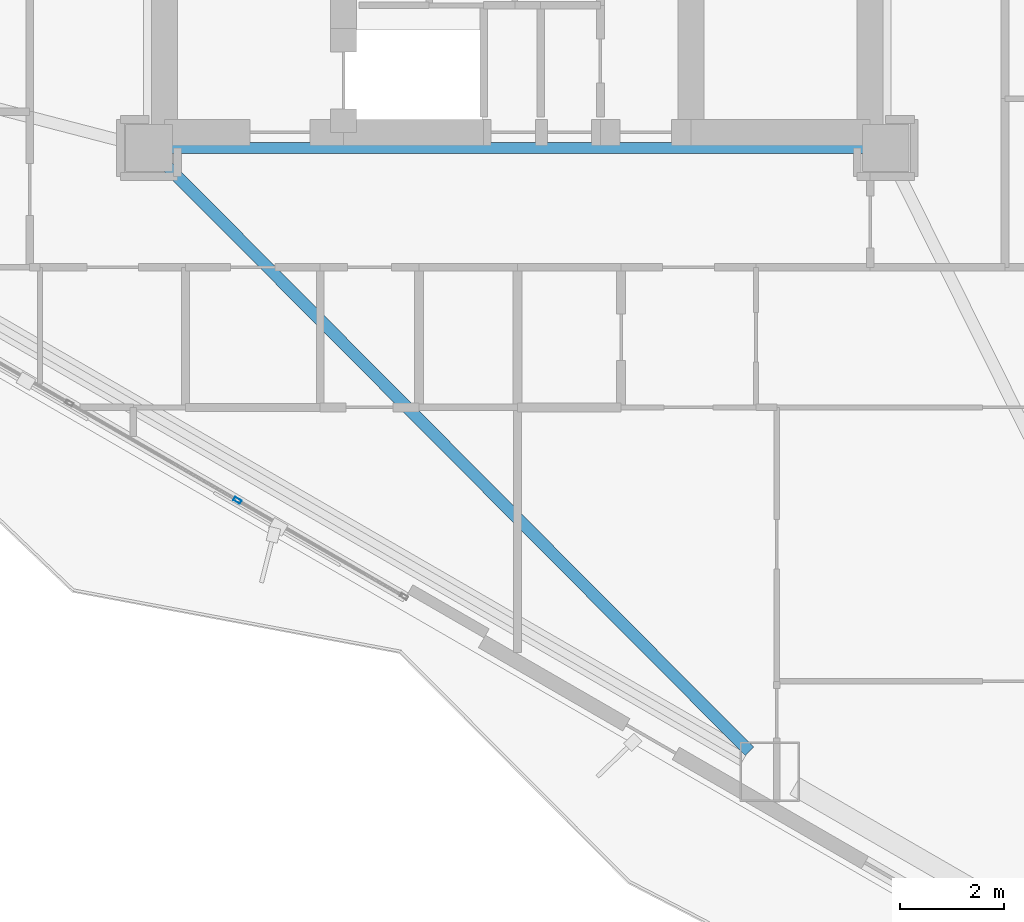
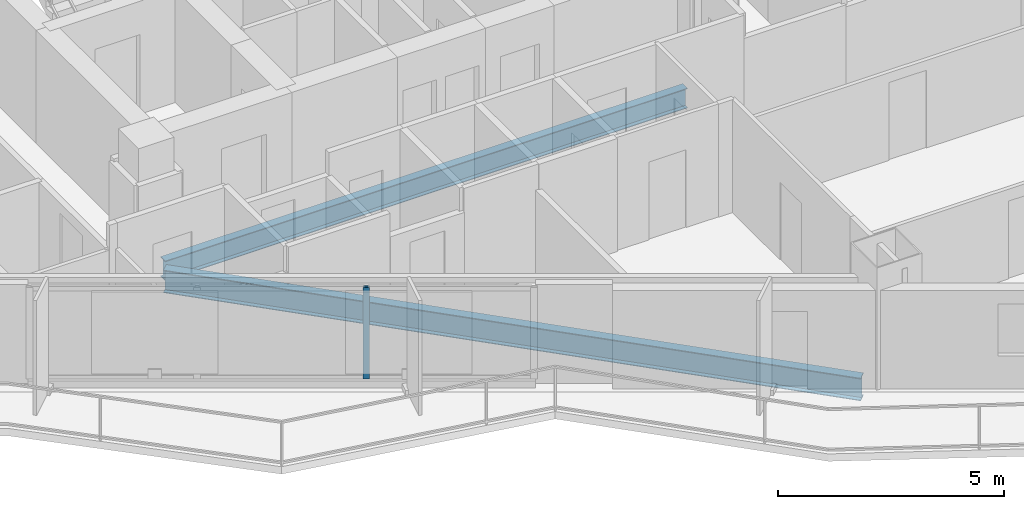
# One storey, part 4 of 23: 2 beams, 1 member, 1 element without a shape of its own.
"""IFC4 building model written with IfcOpenShell, lengths in metres."""

from ifc_helpers import new_model, si_unit, direction, frame, origin, origin_2d, place, context, subcontext, project, spatial, hollow_rectangle, i_section, extrude, material, layer, layer_set, material_profile, profile_set, type_object, element, aggregate, save


model = new_model("IFC4")

# Units and contexts
model_context = context("Model", 3, precision=1e-05, world=origin(), true_north=direction((0.0, 1.0)))
body_context = subcontext(model_context, "Body", "Model", "MODEL_VIEW")
ifc_project = project(units=[si_unit("LENGTHUNIT", "METRE"), si_unit("AREAUNIT", "SQUARE_METRE"), si_unit("VOLUMEUNIT", "CUBIC_METRE"), si_unit("PLANEANGLEUNIT", "RADIAN"), si_unit("MASSUNIT", "GRAM", prefix="KILO")], contexts=[model_context])

# Site, building, storey
site_placement = place(None, origin())
site = spatial("IfcSite", under=ifc_project, at=site_placement, CompositionType="ELEMENT")
building_placement = place(site_placement, origin())
building = spatial("IfcBuilding", under=site, at=building_placement, Name="Mersakhor Tower and Convention Hall", CompositionType="ELEMENT")
storey_placement = place(building_placement, frame((0.0, 0.0, 73.5)))
storey = spatial("IfcBuildingStorey", under=building, at=storey_placement, Name="L19", CompositionType="ELEMENT", Elevation=73.5)

# Beams
ifc_material_1 = material(Name="Steel S355", Category="steel")
ifc_material_profile_1 = material_profile(ifc_material_1, i_section(OverallWidth=0.2099609375, OverallDepth=0.53662109375, WebThickness=0.0107421875, FlangeThickness=0.017333984375, at=origin_2d()), Name="UB 533x210x101")
ifc_profile_set_1 = profile_set([ifc_material_profile_1], Name="Steel S355")
beam_type_1 = type_object("IfcBeamType", Name="BM-FB-533", PredefinedType="BEAM", material=ifc_profile_set_1)
beam_1_placement = place(storey_placement, frame((35.669921875, 20.449951171875, -0.518310546875), z_axis=(-1.0, 0.0, 0.0), x_axis=(0.0, -1.0, 0.0)))
element("IfcBeam", 1, at=beam_1_placement, inside=storey, type_object=beam_type_1, Name="L19 Core Ring Tie Beam CRB-4", PredefinedType="BEAM", context=body_context, shape_type="SweptSolid", body=[
    extrude(i_section(OverallWidth=0.2099609375, OverallDepth=0.53662109375, WebThickness=0.0107421875, FlangeThickness=0.017333984375, at=origin_2d()), origin(), (0.0, 0.0, 1.0), 13.33984375),
])
ifc_material_2 = material(Name="Steel S355", Category="steel")
ifc_material_profile_2 = material_profile(ifc_material_2, i_section(OverallWidth=0.22900390625, OverallDepth=0.6123046875, WebThickness=0.011962890625, FlangeThickness=0.01953125, at=origin_2d()), Name="UB 610x229x125")
ifc_profile_set_2 = profile_set([ifc_material_profile_2], Name="Steel S355")
beam_type_2 = type_object("IfcBeamType", Name="BM-PR-610", PredefinedType="BEAM", material=ifc_profile_set_2)
beam_2_placement = place(storey_placement, frame((22.203369140625, 20.145263671875, -0.55615234375), z_axis=(0.705400603107, -0.708808852327, 0.0), x_axis=(0.708808852327, 0.705400603107, 0.0)))
element("IfcBeam", 2, at=beam_2_placement, inside=storey, type_object=beam_type_2, Name="L19 Primary Floor Girder FG-5", PredefinedType="BEAM", context=body_context, shape_type="SweptSolid", body=[
    extrude(i_section(OverallWidth=0.22900390625, OverallDepth=0.6123046875, WebThickness=0.011962890625, FlangeThickness=0.01953125, at=origin_2d()), origin(), (0.0, 0.0, 1.0), 15.973876953125),
])

# Curtain wall, member
ifc_material_3 = material(Name="Dark solar low-E aluminium curtain wall", Category="aluminium")
ifc_layer = layer(ifc_material_3, 0.159912109375)
ifc_layer_set = layer_set([ifc_layer], Name="Dark solar low-E aluminium curtain wall")
curtain_wall_type = type_object("IfcCurtainWallType", Name="CW-SYS-01", PredefinedType="USERDEFINED", material=ifc_layer_set)
curtain_wall_placement = place(storey_placement, origin())
curtain_wall = element("IfcCurtainWall", 3, at=curtain_wall_placement, inside=storey, type_object=curtain_wall_type, Name="L19 Dark-Glass Curtain Wall F3-B2", ObjectType="CURTAIN WALL", PredefinedType="USERDEFINED")
ifc_material_4 = material(Name="Anodised aluminium EN AW-6063 T6", Category="aluminium")
ifc_material_profile_3 = material_profile(ifc_material_4, hollow_rectangle(XDim=0.074951171875, YDim=0.14990234375, WallThickness=0.00634765625, at=origin_2d()), Name="RHS 150x75x6.3")
ifc_profile_set_3 = profile_set([ifc_material_profile_3], Name="Anodised aluminium EN AW-6063 T6")
member_type = type_object("IfcMemberType", Name="CWM-150x75", PredefinedType="MULLION", material=ifc_profile_set_3)
member_placement = place(storey_placement, frame((23.603515625, 13.659912109375, 0.199951171875), z_axis=(0.0, 0.0, 1.0), x_axis=(-0.499997904985, -0.866026613339, 0.0)))
member = element("IfcMember", 4, at=member_placement, type_object=member_type, Name="CW-01 mullion 2", PredefinedType="MULLION", context=body_context, shape_type="SweptSolid", body=[
    extrude(hollow_rectangle(XDim=0.074951171875, YDim=0.14990234375, WallThickness=0.00634765625, at=origin_2d()), origin(), (0.0, 0.0, 1.0), 2.469970703125),
])
aggregate(curtain_wall, [member])

save(model, "model.ifc")
